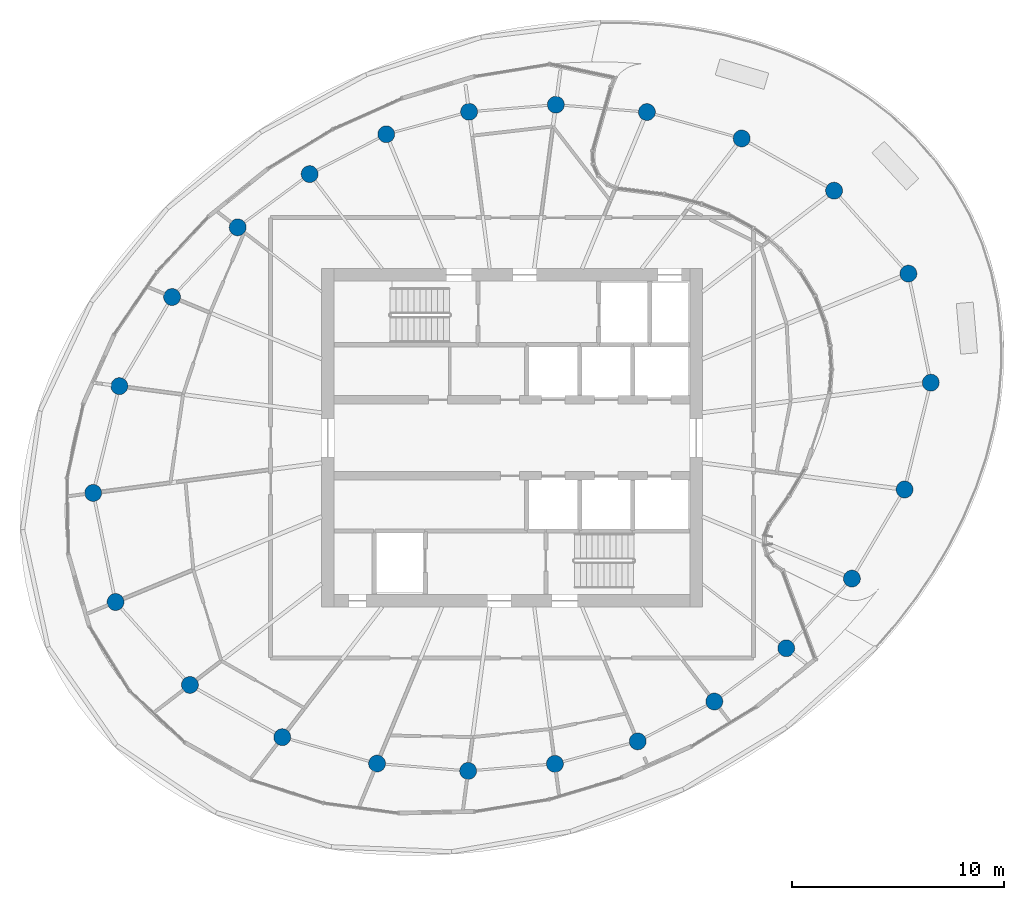
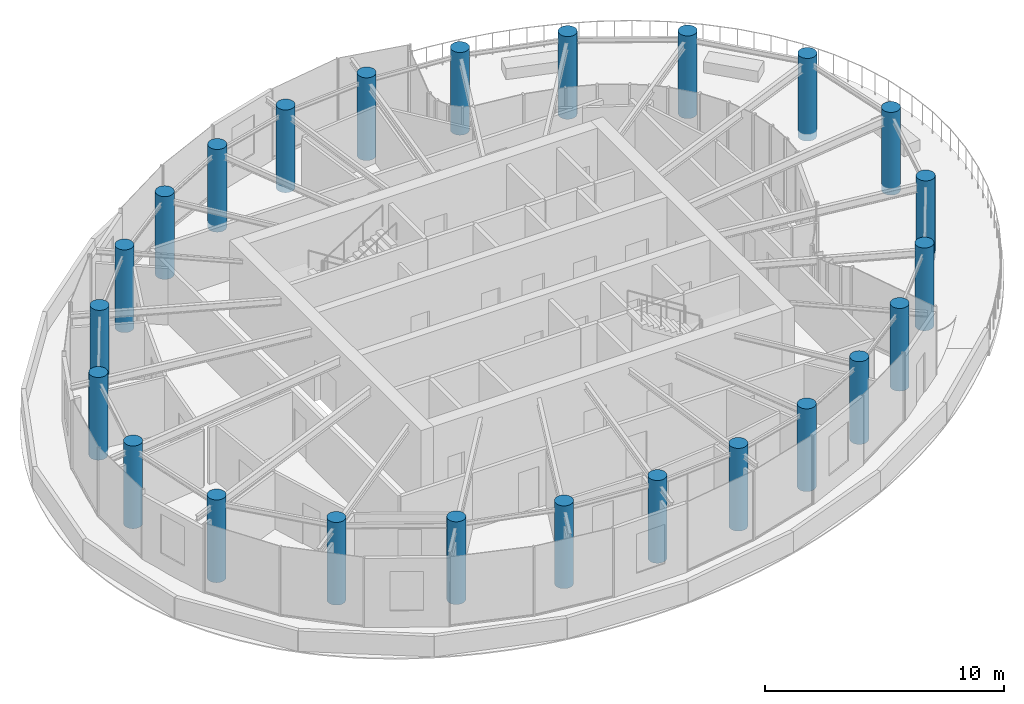
# One storey, part 1 of 19: 24 columns.
"""IFC4 building model written with IfcOpenShell, lengths in metres."""

from ifc_helpers import new_model, si_unit, direction, frame, origin, origin_2d, place, context, subcontext, project, spatial, circle, extrude, source, transform, mapped, material, material_profile, profile_set, type_object, element, save


model = new_model("IFC4")

# Units and contexts
model_context = context("Model", 3, precision=1e-05, world=origin(), true_north=direction((0.0, 1.0)))
body_context = subcontext(model_context, "Body", "Model", "MODEL_VIEW")
ifc_project = project(units=[si_unit("LENGTHUNIT", "METRE"), si_unit("AREAUNIT", "SQUARE_METRE"), si_unit("VOLUMEUNIT", "CUBIC_METRE"), si_unit("PLANEANGLEUNIT", "RADIAN"), si_unit("MASSUNIT", "GRAM", prefix="KILO")], contexts=[model_context])

# Site, building, storey
site_placement = place(None, origin())
site = spatial("IfcSite", under=ifc_project, at=site_placement, CompositionType="ELEMENT")
building_placement = place(site_placement, origin())
building = spatial("IfcBuilding", under=site, at=building_placement, Name="Spindrift Exchange Tower", CompositionType="ELEMENT")
storey_placement = place(building_placement, frame((0.0, 0.0, 234.5)))
storey = spatial("IfcBuildingStorey", under=building, at=storey_placement, Name="L57", CompositionType="ELEMENT", Elevation=234.5)

# Columns
ifc_material = material(Name="Concrete 40 MPa", Category="concrete")
ifc_material_profile = material_profile(ifc_material, circle(Radius=0.39990234375, at=origin_2d()), Name="RC D800")
ifc_profile_set = profile_set([ifc_material_profile], Name="Concrete 40 MPa")
column_type = type_object("IfcColumnType", Name="RC Perimeter Column D800 Concrete 40 MPa", PredefinedType="COLUMN", material=ifc_profile_set)
shared_shape = source(origin(), body_context, "Body", "SweptSolid", [
    extrude(circle(Radius=0.39990234375, at=origin_2d()), origin(), (0.0, 0.0, 1.0), 4.219970703125),
])
for number, where, z_axis, x_axis, name in (
    (1, (71.77734375, 50.603759765625, -0.320068359375), (0.0, 0.0, 1.0), (1.0, 0.0, 0.0), "Perimeter column P5-01 L57"),
    (2, (70.719482421875, 55.75390625, -0.320068359375), (0.0, 0.0, 1.0), (1.0, 0.0, 0.0), "Perimeter column P5-02 L57"),
    (3, (67.20947265625, 59.670654296875, -0.320068359375), (0.0, 0.0, 1.0), (1.0, 0.0, 0.0), "Perimeter column P5-03 L57"),
    (4, (62.846923828125, 62.135986328125, -0.320068359375), (0.0, 0.0, 1.0), (1.0, 0.0, 0.0), "Perimeter column P5-04 L57"),
    (5, (58.37158203125, 63.382568359375, -0.320068359375), (0.0, 0.0, 1.0), (1.0, 0.0, 0.0), "Perimeter column P5-05 L57"),
    (6, (54.071044921875, 63.731201171875, -0.320068359375), (0.0, 0.0, 1.0), (1.0, 0.0, 0.0), "Perimeter column P5-06 L57"),
    (7, (49.97314453125, 63.39599609375, -0.320068359375), (0.0, 0.0, 1.0), (1.0, 0.0, 0.0), "Perimeter column P5-07 L57"),
    (8, (46.062744140625, 62.333984375, -0.320068359375), (0.0, 0.0, 1.0), (1.0, 0.0, 0.0), "Perimeter column P5-08 L57"),
    (9, (42.4443359375, 60.453369140625, -0.320068359375), (0.0, 0.0, 1.0), (1.0, 0.0, 0.0), "Perimeter column P5-09 L57"),
    (10, (39.046875, 57.939208984375, -0.320068359375), (0.0, 0.0, 1.0), (1.0, 0.0, 0.0), "Perimeter column P5-10 L57"),
    (11, (35.948486328125, 54.648681640625, -0.320068359375), (0.0, 0.0, 1.0), (1.0, 0.0, 0.0), "Perimeter column P5-11 L57"),
    (12, (33.4599609375, 50.44091796875, -0.320068359375), (0.0, 0.0, 1.0), (1.0, 0.0, 0.0), "Perimeter column P5-12 L57"),
    (13, (32.22265625, 45.396240234375, -0.320068359375), (0.0, 0.0, 1.0), (1.0, 0.0, 0.0), "Perimeter column P5-13 L57"),
    (14, (33.280517578125, 40.24609375, -0.320068359375), (0.0, 0.0, 1.0), (1.0, 0.0, 0.0), "Perimeter column P5-14 L57"),
    (15, (36.79052734375, 36.329345703125, -0.320068359375), (0.0, 0.0, 1.0), (1.0, 0.0, 0.0), "Perimeter column P5-15 L57"),
    (16, (41.153076171875, 33.864013671875, -0.320068359375), (0.0, 0.0, 1.0), (1.0, 0.0, 0.0), "Perimeter column P5-16 L57"),
    (17, (45.62841796875, 32.617431640625, -0.320068359375), (0.0, 0.0, 1.0), (1.0, 0.0, 0.0), "Perimeter column P5-17 L57"),
    (18, (49.928955078125, 32.268798828125, -0.320068359375), (0.0, 0.0, 1.0), (1.0, 0.0, 0.0), "Perimeter column P5-18 L57"),
    (19, (54.02685546875, 32.60400390625, -0.320068359375), (0.0, 0.0, 1.0), (1.0, 0.0, 0.0), "Perimeter column P5-19 L57"),
    (20, (57.937255859375, 33.666015625, -0.320068359375), (0.0, 0.0, 1.0), (1.0, 0.0, 0.0), "Perimeter column P5-20 L57"),
    (21, (61.5556640625, 35.546630859375, -0.320068359375), (0.0, 0.0, 1.0), (1.0, 0.0, 0.0), "Perimeter column P5-21 L57"),
    (22, (64.953125, 38.060791015625, -0.320068359375), (0.0, 0.0, 1.0), (1.0, 0.0, 0.0), "Perimeter column P5-22 L57"),
    (23, (68.051513671875, 41.351318359375, -0.320068359375), (0.0, 0.0, 1.0), (1.0, 0.0, 0.0), "Perimeter column P5-23 L57"),
    (24, (70.5400390625, 45.55908203125, -0.320068359375), (0.0, 0.0, 1.0), (1.0, 0.0, 0.0), "Perimeter column P5-24 L57"),
):
    element("IfcColumn", number, at=place(storey_placement, frame(where, z_axis=z_axis, x_axis=x_axis)), inside=storey, type_object=column_type, Name=name, PredefinedType="COLUMN", context=body_context, shape_type="MappedRepresentation", body=[
        mapped(shared_shape, transform((0.0, 0.0, 0.0), scale=1.0)),
    ])

save(model, "model.ifc")
